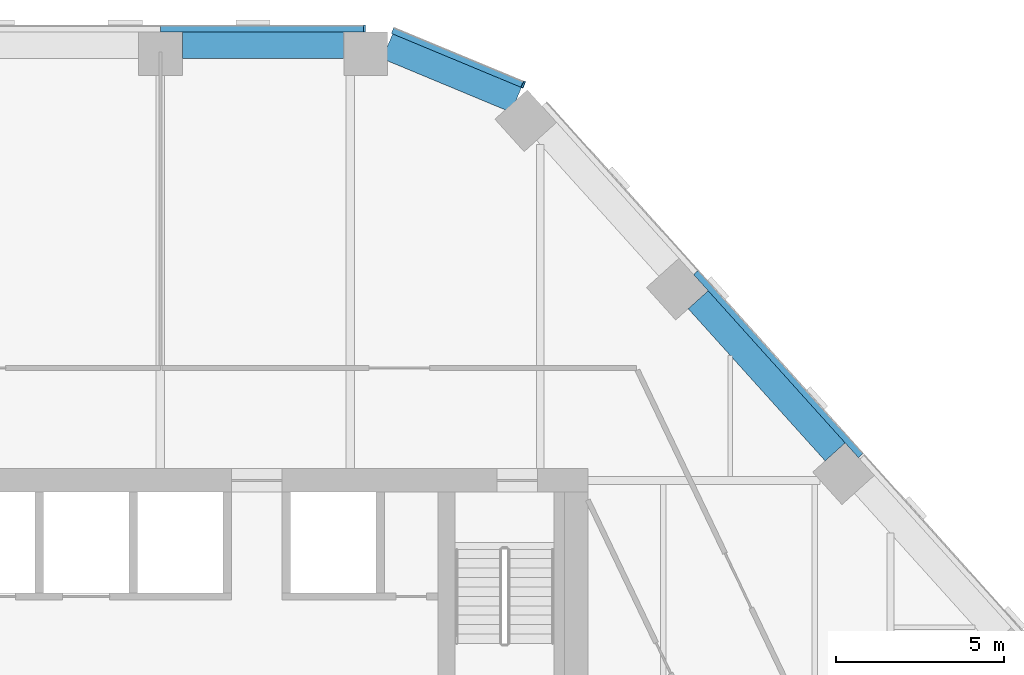
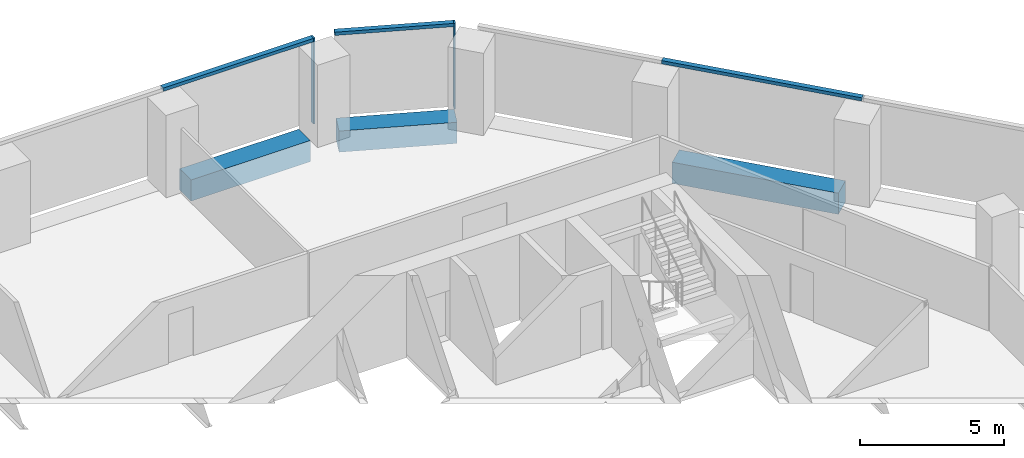
# One storey, part 9 of 17: 5 members, 3 beams, 3 elements without a shape of their own.
"""IFC4 building model written with IfcOpenShell, lengths in metres."""

from ifc_helpers import new_model, si_unit, direction, frame, origin, origin_2d, place, context, subcontext, project, spatial, rectangle, extrude, material, layer, layer_set, material_profile, profile_set, type_object, element, aggregate, save


model = new_model("IFC4")

# Units and contexts
model_context = context("Model", 3, precision=1e-05, world=origin(), true_north=direction((0.0, 1.0)))
body_context = subcontext(model_context, "Body", "Model", "MODEL_VIEW")
ifc_project = project(units=[si_unit("LENGTHUNIT", "METRE"), si_unit("AREAUNIT", "SQUARE_METRE"), si_unit("VOLUMEUNIT", "CUBIC_METRE"), si_unit("PLANEANGLEUNIT", "RADIAN"), si_unit("MASSUNIT", "GRAM", prefix="KILO")], contexts=[model_context])

# Site, building, storey
site_placement = place(None, origin())
site = spatial("IfcSite", under=ifc_project, at=site_placement, CompositionType="ELEMENT")
building_placement = place(site_placement, origin())
building = spatial("IfcBuilding", under=site, at=building_placement, Name="Isthmus Gate Tower", CompositionType="ELEMENT")
storey_placement = place(building_placement, frame((0.0, 0.0, 200.0)))
storey = spatial("IfcBuildingStorey", under=building, at=storey_placement, Name="L50", CompositionType="ELEMENT", Elevation=200.0)

# Curtain wall, member
ifc_material_1 = material(Name="Aluminium, pale champagne anodised", Category="aluminium")
ifc_layer = layer(ifc_material_1, 0.199951171875)
ifc_layer_set = layer_set([ifc_layer], Name="CW-1 UNITISED CURTAIN WALL 200 DEEP")
curtain_wall_type = type_object("IfcCurtainWallType", Name="CW-1 UNITISED CURTAIN WALL 200 DEEP", PredefinedType="NOTDEFINED", material=ifc_layer_set)
curtain_wall_1_placement = place(storey_placement, origin())
curtain_wall_1 = element("IfcCurtainWall", 1, at=curtain_wall_1_placement, inside=storey, type_object=curtain_wall_type, Name="CW-1 N L50", PredefinedType="NOTDEFINED")
ifc_material_2 = material(Name="Aluminium, pale champagne anodised", Category="aluminium")
ifc_material_profile_1 = material_profile(ifc_material_2, rectangle(XDim=0.06005859375, YDim=0.199951171875, at=origin_2d()), Name="60x200")
ifc_profile_set_1 = profile_set([ifc_material_profile_1], Name="Aluminium, pale champagne anodised")
member_type_1 = type_object("IfcMemberType", Name="CW-1 MULLION 60 X 200", PredefinedType="MULLION", material=ifc_profile_set_1)
member_1_placement = place(storey_placement, frame((8.358642578125, 28.10009765625, 0.0), z_axis=(0.0, 0.0, 1.0), x_axis=(-1.0, 0.0, 0.0)))
member_1 = element("IfcMember", 2, at=member_1_placement, type_object=member_type_1, Name="CW-1 mullion", PredefinedType="MULLION", context=body_context, shape_type="SweptSolid", body=[
    extrude(rectangle(XDim=0.06005859375, YDim=0.199951171875, at=origin_2d()), origin(), (0.0, 0.0, 1.0), 3.64990234375),
])

curtain_wall_2_placement = place(storey_placement, origin())
curtain_wall_2 = element("IfcCurtainWall", 3, at=curtain_wall_2_placement, inside=storey, type_object=curtain_wall_type, Name="CW-1 NE-N L50", PredefinedType="NOTDEFINED")
member_2_placement = place(storey_placement, frame((13.080810546875, 26.427490234375, 0.0), z_axis=(0.0, 0.0, 1.0), x_axis=(-0.923353128387, 0.383951820282, 0.0)))
member_2 = element("IfcMember", 4, at=member_2_placement, type_object=member_type_1, Name="CW-1 mullion", PredefinedType="MULLION", context=body_context, shape_type="SweptSolid", body=[
    extrude(rectangle(XDim=0.06005859375, YDim=0.199951171875, at=origin_2d()), origin(), (0.0, 0.0, 1.0), 3.64990234375),
])

# Member
ifc_material_3 = material(Name="Aluminium, pale champagne anodised", Category="aluminium")
ifc_material_profile_2 = material_profile(ifc_material_3, rectangle(XDim=0.199951171875, YDim=0.139892578125, at=origin_2d()), Name="200x140")
ifc_profile_set_2 = profile_set([ifc_material_profile_2], Name="Aluminium, pale champagne anodised")
member_type_2 = type_object("IfcMemberType", Name="CW-1 TRANSOM 200 X 140", PredefinedType="USERDEFINED", material=ifc_profile_set_2)
member_3_placement = place(storey_placement, frame((8.32861328125, 28.10009765625, 3.580078125), z_axis=(-1.0, 0.0, 0.0), x_axis=(0.0, -1.0, 0.0)))
member_3 = element("IfcMember", 5, at=member_3_placement, type_object=member_type_2, Name="CW-1 transom", ObjectType="TRANSOM", PredefinedType="USERDEFINED", context=body_context, shape_type="SweptSolid", body=[
    extrude(rectangle(XDim=0.199951171875, YDim=0.139892578125, at=origin_2d()), origin(), (0.0, 0.0, 1.0), 6.040283203125),
])

aggregate(curtain_wall_1, [member_1, member_3])

# Curtain wall, member
curtain_wall_3_placement = place(storey_placement, origin())
curtain_wall_3 = element("IfcCurtainWall", 6, at=curtain_wall_3_placement, inside=storey, type_object=curtain_wall_type, Name="CW-1 NE L50", PredefinedType="NOTDEFINED")
member_4_placement = place(storey_placement, frame((23.126708984375, 15.3955078125, 3.580078125), z_axis=(-0.669137671884, 0.743138463589, 0.0), x_axis=(-0.743138463589, -0.669137671884, 0.0)))
member_4 = element("IfcMember", 7, at=member_4_placement, type_object=member_type_2, Name="CW-1 transom", ObjectType="TRANSOM", PredefinedType="USERDEFINED", context=body_context, shape_type="SweptSolid", body=[
    extrude(rectangle(XDim=0.199951171875, YDim=0.139892578125, at=origin_2d()), origin(), (0.0, 0.0, 1.0), 7.330810546875),
])
aggregate(curtain_wall_3, [member_4])

# Member
member_5_placement = place(storey_placement, frame((13.05322265625, 26.43896484375, 3.580078125), z_axis=(-0.923358236369, 0.383939536033, 0.0), x_axis=(-0.383939536033, -0.923358236369, 0.0)))
member_5 = element("IfcMember", 8, at=member_5_placement, type_object=member_type_2, Name="CW-1 transom", ObjectType="TRANSOM", PredefinedType="USERDEFINED", context=body_context, shape_type="SweptSolid", body=[
    extrude(rectangle(XDim=0.199951171875, YDim=0.139892578125, at=origin_2d()), origin(), (0.0, 0.0, 1.0), 4.181640625),
])

aggregate(curtain_wall_2, [member_2, member_5])

# Beams
ifc_material_4 = material(Name="Concrete f'c 60 MPa", Category="concrete")
ifc_material_profile_3 = material_profile(ifc_material_4, rectangle(XDim=0.800048828125, YDim=0.89990234375, at=origin_2d()), Name="RC 800X900")
ifc_profile_set_3 = profile_set([ifc_material_profile_3], Name="Concrete f'c 60 MPa")
beam_type = type_object("IfcBeamType", Name="RC SPANDREL 800 X 900", PredefinedType="SPANDREL", material=ifc_profile_set_3)
beam_1_placement = place(storey_placement, frame((9.03857421875, 27.56689453125, -0.449951171875), z_axis=(0.923342835736, -0.383976571805, 0.0), x_axis=(0.383976571805, 0.923342835736, 0.0)))
element("IfcBeam", 9, at=beam_1_placement, inside=storey, type_object=beam_type, Name="str-spandrel-L50-00", PredefinedType="SPANDREL", context=body_context, shape_type="SweptSolid", body=[
    extrude(rectangle(XDim=0.800048828125, YDim=0.89990234375, at=origin_2d()), origin(), (0.0, 0.0, 1.0), 4.152587890625),
])
beam_2_placement = place(storey_placement, frame((18.284912109375, 20.025634765625, -0.449951171875), z_axis=(0.669119737495, -0.743154611703, 0.0), x_axis=(0.743154611703, 0.669119737495, 0.0)))
element("IfcBeam", 10, at=beam_2_placement, inside=storey, type_object=beam_type, Name="str-spandrel-L50-02", PredefinedType="SPANDREL", context=body_context, shape_type="SweptSolid", body=[
    extrude(rectangle(XDim=0.800048828125, YDim=0.89990234375, at=origin_2d()), origin(), (0.0, 0.0, 1.0), 6.0908203125),
])
beam_3_placement = place(storey_placement, frame((2.9384765625, 27.60009765625, -0.449951171875), z_axis=(1.0, 0.0, 0.0), x_axis=(0.0, 1.0, 0.0)))
element("IfcBeam", 11, at=beam_3_placement, inside=storey, type_object=beam_type, Name="str-spandrel-L50-29", PredefinedType="SPANDREL", context=body_context, shape_type="SweptSolid", body=[
    extrude(rectangle(XDim=0.800048828125, YDim=0.89990234375, at=origin_2d()), origin(), (0.0, 0.0, 1.0), 4.800048828125),
])

save(model, "model.ifc")
